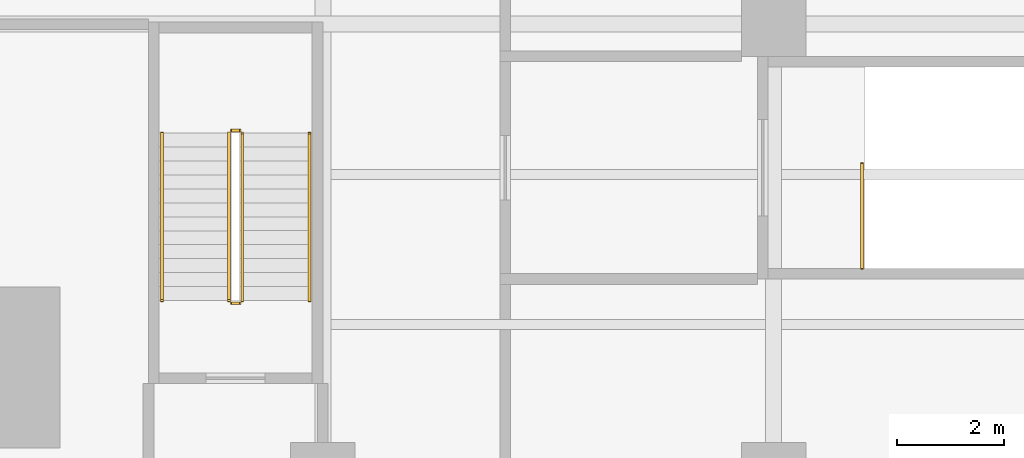
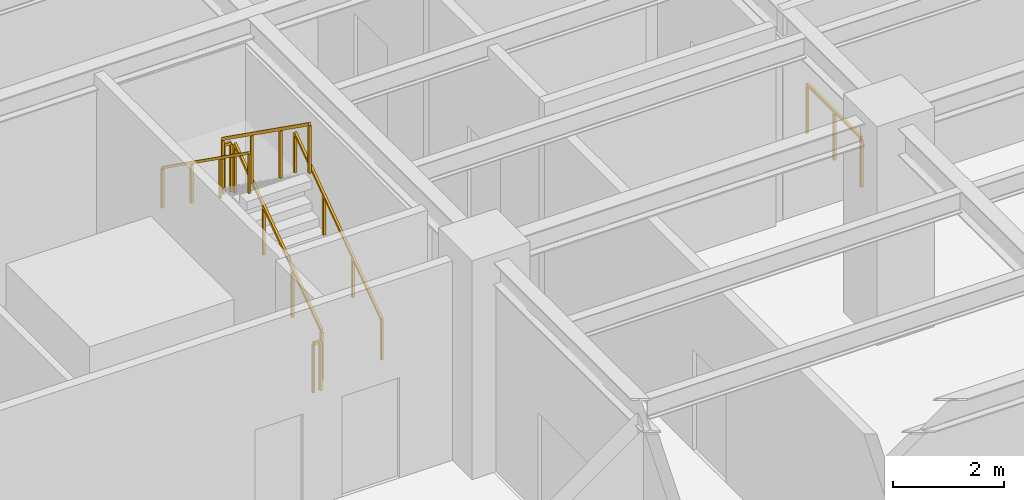
# One storey, part 53 of 53: 7 railings.
"""IFC4 building model written with IfcOpenShell, lengths in metres."""

from ifc_helpers import new_model, si_unit, direction, frame, origin, origin_2d, place, context, subcontext, project, spatial, rectangle, extrude, material, type_object, element, save


model = new_model("IFC4")

# Units and contexts
model_context = context("Model", 3, precision=1e-05, world=origin(), true_north=direction((0.0, 1.0)))
body_context = subcontext(model_context, "Body", "Model", "MODEL_VIEW")
ifc_project = project(units=[si_unit("LENGTHUNIT", "METRE"), si_unit("AREAUNIT", "SQUARE_METRE"), si_unit("VOLUMEUNIT", "CUBIC_METRE"), si_unit("PLANEANGLEUNIT", "RADIAN"), si_unit("MASSUNIT", "GRAM", prefix="KILO")], contexts=[model_context])

# Site, building, storey
site_placement = place(None, origin())
site = spatial("IfcSite", under=ifc_project, at=site_placement, CompositionType="ELEMENT")
building_placement = place(site_placement, origin())
building = spatial("IfcBuilding", under=site, at=building_placement, Name="Khepri Terraces", CompositionType="ELEMENT")
storey_placement = place(building_placement, frame((0.0, 0.0, 7.199951171875)))
storey = spatial("IfcBuildingStorey", under=building, at=storey_placement, Name="L01", CompositionType="ELEMENT", Elevation=7.199951171875)

# Railings
ifc_material = material(Name="Stainless steel 316", Category="steel")
railing_type_1 = type_object("IfcRailingType", Name="RL-POD-GUARD", PredefinedType="GUARDRAIL", material=ifc_material)
railing_1_placement = place(storey_placement, frame((23.699951171875, 20.050048828125, 0.1845703125)))
element("IfcRailing", 1, at=railing_1_placement, inside=storey, type_object=railing_type_1, Name="L01 PS-1 stair guard 1", PredefinedType="GUARDRAIL", context=body_context, shape_type="SweptSolid", body=[
    extrude(rectangle(XDim=0.050048828125, YDim=0.06005859375, at=origin_2d()), frame((0.0, 0.0, 1.070068359375), z_axis=(0.0, 0.815325456587, 0.579002935952), x_axis=(-1.0, 0.0, 0.0)), (0.0, 0.0, 1.0), 3.826416015625),
    extrude(rectangle(XDim=0.050048828125, YDim=0.050048828125, at=origin_2d()), origin(), (0.0, 0.0, 1.0), 1.0400390625),
    extrude(rectangle(XDim=0.050048828125, YDim=0.050048828125, at=origin_2d()), frame((0.0, 1.0400390625, 0.738525390625)), (0.0, 0.0, 1.0), 1.0400390625),
    extrude(rectangle(XDim=0.050048828125, YDim=0.050048828125, at=origin_2d()), frame((0.0, 2.079833984375, 1.47705078125)), (0.0, 0.0, 1.0), 1.0400390625),
    extrude(rectangle(XDim=0.050048828125, YDim=0.050048828125, at=origin_2d()), frame((0.0, 3.119873046875, 2.215576171875)), (0.0, 0.0, 1.0), 1.0400390625),
])
railing_2_placement = place(storey_placement, frame((23.64990234375, 23.219970703125, 2.400146484375)))
element("IfcRailing", 2, at=railing_2_placement, inside=storey, type_object=railing_type_1, Name="L01 PS-1 stair guard 2", PredefinedType="GUARDRAIL", context=body_context, shape_type="SweptSolid", body=[
    extrude(rectangle(XDim=0.050048828125, YDim=0.06005859375, at=origin_2d()), frame((0.0, 0.0, 1.070068359375), z_axis=(-1.0, 0.0, 0.0), x_axis=(0.0, -1.0, 0.0)), (0.0, 0.0, 1.0), 0.14990234375),
    extrude(rectangle(XDim=0.050048828125, YDim=0.050048828125, at=origin_2d()), origin(), (0.0, 0.0, 1.0), 1.0400390625),
    extrude(rectangle(XDim=0.050048828125, YDim=0.050048828125, at=origin_2d()), frame((-0.14990234375, 0.0, 0.0)), (0.0, 0.0, 1.0), 1.0400390625),
])
railing_3_placement = place(storey_placement, frame((23.449951171875, 23.169921875, 2.584716796875)))
element("IfcRailing", 3, at=railing_3_placement, inside=storey, type_object=railing_type_1, Name="L01 PS-1 stair guard 3", PredefinedType="GUARDRAIL", context=body_context, shape_type="SweptSolid", body=[
    extrude(rectangle(XDim=0.050048828125, YDim=0.06005859375, at=origin_2d()), frame((0.0, 0.0, 1.070068359375), z_axis=(0.0, -0.815355575968, 0.57896052088), x_axis=(1.0, 0.0, 0.0)), (0.0, 0.0, 1.0), 3.826416015625),
    extrude(rectangle(XDim=0.050048828125, YDim=0.050048828125, at=origin_2d()), origin(), (0.0, 0.0, 1.0), 1.0400390625),
    extrude(rectangle(XDim=0.050048828125, YDim=0.050048828125, at=origin_2d()), frame((0.0, -1.0400390625, 0.738525390625)), (0.0, 0.0, 1.0), 1.0400390625),
    extrude(rectangle(XDim=0.050048828125, YDim=0.050048828125, at=origin_2d()), frame((0.0, -2.079833984375, 1.476806640625)), (0.0, 0.0, 1.0), 1.0400390625),
    extrude(rectangle(XDim=0.050048828125, YDim=0.050048828125, at=origin_2d()), frame((0.0, -3.119873046875, 2.21533203125)), (0.0, 0.0, 1.0), 1.0400390625),
])
railing_4_placement = place(storey_placement, frame((23.64990234375, 20.0, 0.0)))
element("IfcRailing", 4, at=railing_4_placement, inside=storey, type_object=railing_type_1, Name="L01 PS-1 stair guard 4", PredefinedType="GUARDRAIL", context=body_context, shape_type="SweptSolid", body=[
    extrude(rectangle(XDim=0.050048828125, YDim=0.06005859375, at=origin_2d()), frame((0.0, 0.0, 1.070068359375), z_axis=(-1.0, 0.0, 0.0), x_axis=(0.0, -1.0, 0.0)), (0.0, 0.0, 1.0), 0.14990234375),
    extrude(rectangle(XDim=0.050048828125, YDim=0.050048828125, at=origin_2d()), origin(), (0.0, 0.0, 1.0), 1.0400390625),
    extrude(rectangle(XDim=0.050048828125, YDim=0.050048828125, at=origin_2d()), frame((-0.14990234375, 0.0, 0.0)), (0.0, 0.0, 1.0), 1.0400390625),
])
railing_5_placement = place(storey_placement, frame((35.25, 20.64990234375, 0.0)))
element("IfcRailing", 5, at=railing_5_placement, inside=storey, type_object=railing_type_1, Name="L01 PS-6 top well guard 1", PredefinedType="GUARDRAIL", context=body_context, shape_type="SweptSolid", body=[
    extrude(rectangle(XDim=0.050048828125, YDim=0.06005859375, at=origin_2d()), frame((0.0, 0.0, 1.070068359375), z_axis=(0.0, 1.0, 0.0), x_axis=(-1.0, 0.0, 0.0)), (0.0, 0.0, 1.0), 1.9501953125),
    extrude(rectangle(XDim=0.050048828125, YDim=0.050048828125, at=origin_2d()), origin(), (0.0, 0.0, 1.0), 1.0400390625),
    extrude(rectangle(XDim=0.050048828125, YDim=0.050048828125, at=origin_2d()), frame((0.0, 0.97509765625, 0.0)), (0.0, 0.0, 1.0), 1.0400390625),
    extrude(rectangle(XDim=0.050048828125, YDim=0.050048828125, at=origin_2d()), frame((0.0, 1.9501953125, 0.0)), (0.0, 0.0, 1.0), 1.0400390625),
])
railing_type_2 = type_object("IfcRailingType", Name="RL-POD-HANDRAIL", PredefinedType="HANDRAIL", material=ifc_material)
railing_6_placement = place(storey_placement, frame((24.949951171875, 20.050048828125, 0.1845703125)))
element("IfcRailing", 6, at=railing_6_placement, inside=storey, type_object=railing_type_2, Name="L01 PS-1 stair handrail 1", PredefinedType="HANDRAIL", context=body_context, shape_type="SweptSolid", body=[
    extrude(rectangle(XDim=0.050048828125, YDim=0.050048828125, at=origin_2d()), frame((0.0, 0.0, 0.875), z_axis=(0.0, 0.815325456587, 0.579002935952), x_axis=(-1.0, 0.0, 0.0)), (0.0, 0.0, 1.0), 3.826416015625),
    extrude(rectangle(XDim=0.050048828125, YDim=0.050048828125, at=origin_2d()), origin(), (0.0, 0.0, 1.0), 0.849853515625),
    extrude(rectangle(XDim=0.050048828125, YDim=0.050048828125, at=origin_2d()), frame((0.0, 1.0400390625, 0.738525390625)), (0.0, 0.0, 1.0), 0.849853515625),
    extrude(rectangle(XDim=0.050048828125, YDim=0.050048828125, at=origin_2d()), frame((0.0, 2.079833984375, 1.47705078125)), (0.0, 0.0, 1.0), 0.849853515625),
    extrude(rectangle(XDim=0.050048828125, YDim=0.050048828125, at=origin_2d()), frame((0.0, 3.119873046875, 2.215576171875)), (0.0, 0.0, 1.0), 0.849853515625),
])
railing_7_placement = place(storey_placement, frame((22.199951171875, 23.169921875, 2.584716796875)))
element("IfcRailing", 7, at=railing_7_placement, inside=storey, type_object=railing_type_2, Name="L01 PS-1 stair handrail 2", PredefinedType="HANDRAIL", context=body_context, shape_type="SweptSolid", body=[
    extrude(rectangle(XDim=0.050048828125, YDim=0.050048828125, at=origin_2d()), frame((0.0, 0.0, 0.875), z_axis=(0.0, -0.815355575968, 0.57896052088), x_axis=(1.0, 0.0, 0.0)), (0.0, 0.0, 1.0), 3.826416015625),
    extrude(rectangle(XDim=0.050048828125, YDim=0.050048828125, at=origin_2d()), origin(), (0.0, 0.0, 1.0), 0.849853515625),
    extrude(rectangle(XDim=0.050048828125, YDim=0.050048828125, at=origin_2d()), frame((0.0, -1.0400390625, 0.738525390625)), (0.0, 0.0, 1.0), 0.849853515625),
    extrude(rectangle(XDim=0.050048828125, YDim=0.050048828125, at=origin_2d()), frame((0.0, -2.079833984375, 1.476806640625)), (0.0, 0.0, 1.0), 0.849853515625),
    extrude(rectangle(XDim=0.050048828125, YDim=0.050048828125, at=origin_2d()), frame((0.0, -3.119873046875, 2.21533203125)), (0.0, 0.0, 1.0), 0.849853515625),
])

save(model, "model.ifc")
